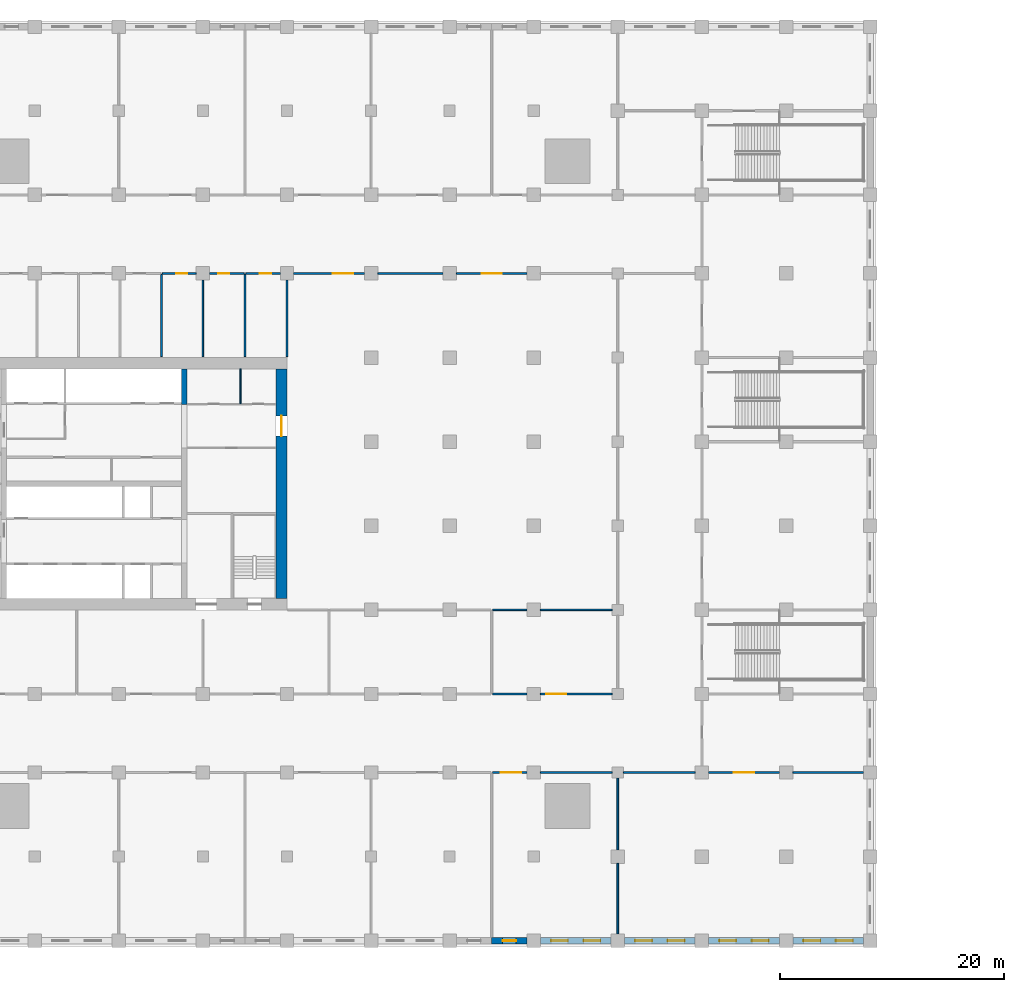
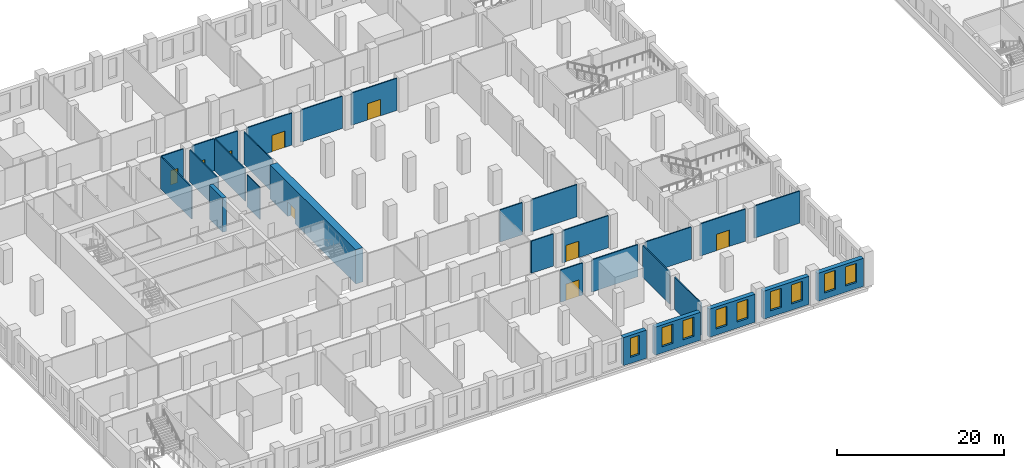
# One storey, part 7 of 32: 29 walls, 9 doors, 9 windows, 18 openings.
"""IFC4 building model written with IfcOpenShell, lengths in metres."""

import ifcopenshell
import ifcopenshell.guid

model = None  # the IFC model being written
_history = None  # IfcOwnerHistory: only IFC2X3 demands one
_inside = {}  # id of a spatial element -> (the spatial element, [elements in it])
_under = {}  # id of a project, library or spatial element -> (it, [spatial elements below it])
_declared = {}  # id of a project -> (the project, [libraries it declares])
_typed = {}  # id of a type object -> (the type object, [elements of that type])
_made_of = {}  # id of a material, layer set ... -> (it, [elements and type objects made of it])


def new_model(schema):
    """Start an empty IFC model of exactly this schema.

    Asked for "IFC4X3", IfcOpenShell would pick the latest addendum, in which some entities
    have other attributes; the version numbers below select the first issue.
    IFC2X3 requires an IfcOwnerHistory on every rooted entity: one is made here for all.
    """
    global model, _history
    if schema == "IFC4X3":
        model = ifcopenshell.file(schema_version=(4, 3, 0, 0))
    else:
        model = ifcopenshell.file(schema=schema)
    _inside.clear()
    _under.clear()
    _declared.clear()
    _typed.clear()
    _made_of.clear()
    _history = None
    if model.schema == "IFC2X3":
        org = make("IfcOrganization", Name="unknown")
        user = make(
            "IfcPersonAndOrganization",
            ThePerson=make("IfcPerson", FamilyName="unknown"),
            TheOrganization=org,
        )
        app = make(
            "IfcApplication",
            ApplicationDeveloper=org,
            Version="unknown",
            ApplicationFullName="unknown",
            ApplicationIdentifier="unknown",
        )
        _history = make(
            "IfcOwnerHistory",
            OwningUser=user,
            OwningApplication=app,
            ChangeAction="ADDED",
            CreationDate=0,
        )
    return model


def make(cls, **values):
    """One entity of the class cls with the attributes given. An attribute that is None is left unset."""
    return model.create_entity(
        cls, **{name: value for name, value in values.items() if value is not None}
    )


def rooted(cls, **values):
    """An entity with a GlobalId (a new one), such as an element, a storey or a relation."""
    return make(cls, GlobalId=ifcopenshell.guid.new(), OwnerHistory=_history, **values)


def si_unit(unit_type, name, prefix=None):
    """IfcSIUnit, for example si_unit("LENGTHUNIT", "METRE", prefix="MILLI")."""
    return make("IfcSIUnit", UnitType=unit_type, Prefix=prefix, Name=name)


def assignment(units):
    """IfcUnitAssignment: the units of a project."""
    return None if units is None else make("IfcUnitAssignment", Units=units)


def point(xyz):
    """IfcCartesianPoint."""
    return None if xyz is None else make("IfcCartesianPoint", Coordinates=xyz)


def direction(xyz):
    """IfcDirection."""
    return None if xyz is None else make("IfcDirection", DirectionRatios=xyz)


def frame(location, z_axis=None, x_axis=None):
    """IfcAxis2Placement3D, a coordinate frame: its origin and axes. An axis left out is left unset."""
    return make(
        "IfcAxis2Placement3D",
        Location=point(location),
        Axis=direction(z_axis),
        RefDirection=direction(x_axis),
    )


def frame_2d(location, x_axis=None):
    """IfcAxis2Placement2D, a coordinate frame in the plane: its origin and x axis."""
    return make(
        "IfcAxis2Placement2D", Location=point(location), RefDirection=direction(x_axis)
    )


def origin():
    """The frame at (0, 0, 0) with its axes left unset."""
    return frame((0.0, 0.0, 0.0))


def place(relative_to, where):
    """IfcLocalPlacement: puts the frame where relative to a parent placement (None: the world)."""
    return make(
        "IfcLocalPlacement", PlacementRelTo=relative_to, RelativePlacement=where
    )


def context(
    kind, dimensions, precision=None, world=None, true_north=None, identifier=None
):
    """IfcGeometricRepresentationContext, for example the 3D "Model" context."""
    return make(
        "IfcGeometricRepresentationContext",
        ContextIdentifier=identifier,
        ContextType=kind,
        CoordinateSpaceDimension=dimensions,
        Precision=precision,
        WorldCoordinateSystem=world,
        TrueNorth=true_north,
    )


def subcontext(parent, identifier, kind, view, scale=None):
    """IfcGeometricRepresentationSubContext, for example "Body" below "Model"."""
    return make(
        "IfcGeometricRepresentationSubContext",
        ContextIdentifier=identifier,
        ContextType=kind,
        ParentContext=parent,
        TargetScale=scale,
        TargetView=view,
    )


def project(units=None, contexts=None):
    """IfcProject with its units and contexts."""
    return rooted(
        "IfcProject",
        Name="project",
        RepresentationContexts=contexts,
        UnitsInContext=assignment(units),
    )


def spatial(cls, under=None, at=None, **own):
    """A site, building, storey or space (cls), placed at a placement, below another one or the project."""
    s = rooted(cls, ObjectPlacement=at, **own)
    if under is not None:
        _under.setdefault(under.id(), (under, []))[1].append(s)
    return s


def profile(cls, at=None, kind="AREA", **sizes):
    """A parametric profile (cls). Its sizes go by their IFC names, for example OverallWidth=200.0."""
    return make(cls, ProfileType=kind, Position=at, **sizes)


def rectangle(**sizes):
    """IfcRectangleProfileDef."""
    return profile("IfcRectangleProfileDef", **sizes)


def extrude(swept, where, along, depth):
    """IfcExtrudedAreaSolid: the profile swept, set in the frame where, extruded along a direction by depth."""
    return make(
        "IfcExtrudedAreaSolid",
        SweptArea=swept,
        Position=where,
        ExtrudedDirection=direction(along),
        Depth=depth,
    )


def shape(context_of_items, identifier, shape_type, items):
    """IfcShapeRepresentation: the items that make up one representation, for example the "Body"."""
    return make(
        "IfcShapeRepresentation",
        ContextOfItems=context_of_items,
        RepresentationIdentifier=identifier,
        RepresentationType=shape_type,
        Items=items,
    )


def material(Name=None, Category=None):
    """IfcMaterial."""
    return make("IfcMaterial", Name=Name, Category=Category)


def layer(
    of_material, thickness, ventilated=None, Name=None, Category=None, Priority=None
):
    """IfcMaterialLayer: one layer of a wall or slab, of a material (None: an air gap)."""
    return make(
        "IfcMaterialLayer",
        Material=of_material,
        LayerThickness=thickness,
        IsVentilated=ventilated,
        Name=Name,
        Category=Category,
        Priority=Priority,
    )


def layer_set(layers, Name=None):
    """IfcMaterialLayerSet."""
    return make("IfcMaterialLayerSet", MaterialLayers=layers, LayerSetName=Name)


def made_of(thing, what):
    """Note that an element or type object is made of a material, layer set ...; save() writes the relation."""
    if what is not None:
        _made_of.setdefault(what.id(), (what, []))[1].append(thing)
    return thing


def type_object(cls, material=None, **own):
    """A type object (cls), such as IfcWallType, which elements share."""
    return made_of(rooted(cls, **own), material)


def element(
    cls,
    number,
    at=None,
    inside=None,
    cuts=None,
    type_object=None,
    material=None,
    context=None,
    identifier="Body",
    shape_type=None,
    held_by="IfcProductDefinitionShape",
    body=None,
    shapes=None,
    **own,
):
    """One element of the class cls, such as IfcWall. Its Tag is "e" and its number.

    at: its placement. inside: the storey or other place that contains it. cuts: it is an
    opening in that element (IfcRelVoidsElement). A single representation is given by context,
    identifier, shape_type and body (its items); several are given by shapes. held_by: the class
    of the entity that holds the representations. save() writes the other relations.
    """
    e = rooted(cls, Tag="e%d" % number, ObjectPlacement=at, **own)
    if body is not None:
        shapes = [shape(context, identifier, shape_type, body)]
    if shapes is not None:
        e.Representation = make(held_by, Representations=shapes)
    if inside is not None:
        _inside.setdefault(inside.id(), (inside, []))[1].append(e)
    if cuts is not None:
        rooted(
            "IfcRelVoidsElement", RelatingBuildingElement=cuts, RelatedOpeningElement=e
        )
    if type_object is not None:
        _typed.setdefault(type_object.id(), (type_object, []))[1].append(e)
    return made_of(e, material)


def fill(opening, filler):
    """IfcRelFillsElement: the door or window that sits in an opening."""
    return rooted(
        "IfcRelFillsElement",
        RelatingOpeningElement=opening,
        RelatedBuildingElement=filler,
    )


def aggregate(whole, parts):
    """IfcRelAggregates: a whole, such as a stair, and the parts it consists of."""
    return rooted("IfcRelAggregates", RelatingObject=whole, RelatedObjects=parts)


def save(model, path):
    """Write the relations noted so far, then the file.

    IfcRelAggregates (storeys below a building ...), IfcRelContainedInSpatialStructure (elements
    in a storey), IfcRelDefinesByType, IfcRelAssociatesMaterial and IfcRelDeclares: one each for
    every whole, place, type object, material and project.
    """
    for whole, parts in _under.values():
        aggregate(whole, parts)
    for where, things in _inside.values():
        rooted(
            "IfcRelContainedInSpatialStructure",
            RelatedElements=things,
            RelatingStructure=where,
        )
    for kind, things in _typed.values():
        rooted("IfcRelDefinesByType", RelatedObjects=things, RelatingType=kind)
    for what, things in _made_of.values():
        rooted("IfcRelAssociatesMaterial", RelatedObjects=things, RelatingMaterial=what)
    for by, libraries in _declared.values():
        rooted("IfcRelDeclares", RelatingContext=by, RelatedDefinitions=libraries)
    model.write(path)


model = new_model("IFC4")

# Units and contexts
model_context = context("Model", 3, precision=1e-05, world=origin(), true_north=direction((0.0, 1.0)))
body_context = subcontext(model_context, "Body", "Model", "MODEL_VIEW")
ifc_project = project(units=[si_unit("LENGTHUNIT", "METRE"), si_unit("AREAUNIT", "SQUARE_METRE"), si_unit("VOLUMEUNIT", "CUBIC_METRE"), si_unit("PLANEANGLEUNIT", "RADIAN"), si_unit("MASSUNIT", "GRAM", prefix="KILO")], contexts=[model_context])

# Site, building, storey
site_placement = place(None, origin())
site = spatial("IfcSite", under=ifc_project, at=site_placement, CompositionType="ELEMENT")
building_placement = place(site_placement, origin())
building = spatial("IfcBuilding", under=site, at=building_placement, Name="Tamorin Gate", CompositionType="ELEMENT")
storey_placement = place(building_placement, frame((0.0, 0.0, 18.5)))
storey = spatial("IfcBuildingStorey", under=building, at=storey_placement, Name="L03", CompositionType="ELEMENT", Elevation=18.5)

# Wall, opening, door
ifc_material_1 = material(Name="Concrete masonry C20/25", Category="masonry")
ifc_layer_1 = layer(ifc_material_1, 0.14990234375)
ifc_layer_set_1 = layer_set([ifc_layer_1], Name="Partition 150")
wall_type_1 = type_object("IfcWallType", Name="Partition 150", PredefinedType="PARTITIONING", material=ifc_layer_set_1)
wall_1_placement = place(storey_placement, frame((78.324951171875, 45.5, 0.0), z_axis=(0.0, 0.0, 1.0), x_axis=(1.0, 0.0, 0.0)))
wall_1 = element("IfcWall", 1, at=wall_1_placement, inside=storey, type_object=wall_type_1, Name="Partition 150 L03", PredefinedType="PARTITIONING", context=body_context, shape_type="SweptSolid", body=[
    extrude(rectangle(XDim=3.074951171875, YDim=0.14990234375, at=frame_2d((1.53759765625, 0.0))), origin(), (0.0, 0.0, 1.0), 4.699951171875),
])
opening_1_placement = place(wall_1_placement, frame((0.75, 0.0, 0.0)))
opening_1 = element("IfcOpeningElement", 2, at=opening_1_placement, cuts=wall_1, Name="Opening DP3", PredefinedType="OPENING", context=body_context, shape_type="SweptSolid", body=[
    extrude(rectangle(XDim=1.800048828125, YDim=2.39990234375, at=frame_2d((0.89990234375, 1.199951171875))), frame((0.0, 0.0849609375, 0.0), z_axis=(0.0, -1.0, 0.0), x_axis=(1.0, 0.0, 0.0)), (0.0, 0.0, 1.0), 0.169921875),
])
ifc_material_2 = material(Name="Steel and glass", Category="steel")
door_type_1 = type_object("IfcDoorType", Name="Door pair 1800", OperationType="DOUBLE_DOOR_SINGLE_SWING", PredefinedType="DOOR", material=ifc_material_2)
door_1_placement = place(opening_1_placement, origin())
door_1 = element("IfcDoor", 3, at=door_1_placement, inside=storey, type_object=door_type_1, Name="Door pair 1800 L03", OperationType="SINGLE_SWING_LEFT", OverallHeight=2.39990234375, OverallWidth=1.800048828125, PredefinedType="DOOR", context=body_context, shape_type="SweptSolid", body=[
    extrude(rectangle(XDim=1.800048828125, YDim=2.39990234375, at=frame_2d((0.89990234375, 1.199951171875))), frame((0.0, 0.02490234375, 0.0), z_axis=(0.0, -1.0, 0.0), x_axis=(1.0, 0.0, 0.0)), (0.0, 0.0, 1.0), 0.050048828125),
])
fill(opening_1, door_1)

# Walls
for number, where, z_axis, x_axis, name in (
    (4, (82.60009765625, 45.5, 0.0), (0.0, 0.0, 1.0), (1.0, 0.0, 0.0), "Partition 150 L03"),
    (5, (90.0, 45.5, 0.0), (0.0, 0.0, 1.0), (1.0, 0.0, 0.0), "Partition 150 L03"),
):
    element("IfcWall", number, at=place(storey_placement, frame(where, z_axis=z_axis, x_axis=x_axis)), inside=storey, type_object=wall_type_1, Name=name, PredefinedType="PARTITIONING", context=body_context, shape_type="SweptSolid", body=[
        extrude(rectangle(XDim=6.39990234375, YDim=0.14990234375, at=frame_2d((3.199951171875, 0.0))), origin(), (0.0, 0.0, 1.0), 4.699951171875),
    ])

# Wall, opening, door
wall_2_placement = place(storey_placement, frame((97.60009765625, 45.5, 0.0), z_axis=(0.0, 0.0, 1.0), x_axis=(1.0, 0.0, 0.0)))
wall_2 = element("IfcWall", 6, at=wall_2_placement, inside=storey, type_object=wall_type_1, Name="Partition 150 L03", PredefinedType="PARTITIONING", context=body_context, shape_type="SweptSolid", body=[
    extrude(rectangle(XDim=6.2998046875, YDim=0.14990234375, at=frame_2d((3.14990234375, 0.0))), origin(), (0.0, 0.0, 1.0), 4.699951171875),
])
opening_2_placement = place(wall_2_placement, frame((2.25, 0.0, 0.0)))
opening_2 = element("IfcOpeningElement", 7, at=opening_2_placement, cuts=wall_2, Name="Opening DP3", PredefinedType="OPENING", context=body_context, shape_type="SweptSolid", body=[
    extrude(rectangle(XDim=1.800048828125, YDim=2.39990234375, at=frame_2d((0.89990234375, 1.199951171875))), frame((0.0, 0.0849609375, 0.0), z_axis=(0.0, -1.0, 0.0), x_axis=(1.0, 0.0, 0.0)), (0.0, 0.0, 1.0), 0.169921875),
])
door_2_placement = place(opening_2_placement, origin())
door_2 = element("IfcDoor", 8, at=door_2_placement, inside=storey, type_object=door_type_1, Name="Door pair 1800 L03", OperationType="SINGLE_SWING_LEFT", OverallHeight=2.39990234375, OverallWidth=1.800048828125, PredefinedType="DOOR", context=body_context, shape_type="SweptSolid", body=[
    extrude(rectangle(XDim=1.800048828125, YDim=2.39990234375, at=frame_2d((0.89990234375, 1.199951171875))), frame((0.0, 0.02490234375, 0.0), z_axis=(0.0, -1.0, 0.0), x_axis=(1.0, 0.0, 0.0)), (0.0, 0.0, 1.0), 0.050048828125),
])
fill(opening_2, door_2)

# Walls
wall_3_placement = place(storey_placement, frame((105.10009765625, 45.5, 0.0), z_axis=(0.0, 0.0, 1.0), x_axis=(1.0, 0.0, 0.0)))
element("IfcWall", 9, at=wall_3_placement, inside=storey, type_object=wall_type_1, Name="Partition 150 L03", PredefinedType="PARTITIONING", context=body_context, shape_type="SweptSolid", body=[
    extrude(rectangle(XDim=6.2998046875, YDim=0.14990234375, at=frame_2d((3.14990234375, 0.0))), origin(), (0.0, 0.0, 1.0), 4.699951171875),
])
wall_4_placement = place(storey_placement, frame((78.324951171875, 52.5, 0.0), z_axis=(0.0, 0.0, 1.0), x_axis=(1.0, 0.0, 0.0)))
element("IfcWall", 10, at=wall_4_placement, inside=storey, type_object=wall_type_1, Name="Partition 150 L03", PredefinedType="PARTITIONING", context=body_context, shape_type="SweptSolid", body=[
    extrude(rectangle(XDim=3.074951171875, YDim=0.14990234375, at=frame_2d((1.53759765625, 0.0))), origin(), (0.0, 0.0, 1.0), 4.699951171875),
])

# Wall, opening, door
wall_5_placement = place(storey_placement, frame((89.0, 52.5, 0.0), z_axis=(0.0, 0.0, 1.0), x_axis=(-1.0, 0.0, 0.0)))
wall_5 = element("IfcWall", 11, at=wall_5_placement, inside=storey, type_object=wall_type_1, Name="Partition 150 L03", PredefinedType="PARTITIONING", context=body_context, shape_type="SweptSolid", body=[
    extrude(rectangle(XDim=6.39990234375, YDim=0.14990234375, at=frame_2d((3.199951171875, 0.0))), origin(), (0.0, 0.0, 1.0), 4.699951171875),
])
opening_3_placement = place(wall_5_placement, frame((4.10009765625, 0.0, 0.0)))
opening_3 = element("IfcOpeningElement", 12, at=opening_3_placement, cuts=wall_5, Name="Opening DP3", PredefinedType="OPENING", context=body_context, shape_type="SweptSolid", body=[
    extrude(rectangle(XDim=1.800048828125, YDim=2.39990234375, at=frame_2d((0.89990234375, 1.199951171875))), frame((0.0, 0.0849609375, 0.0), z_axis=(0.0, -1.0, 0.0), x_axis=(1.0, 0.0, 0.0)), (0.0, 0.0, 1.0), 0.169921875),
])
door_3_placement = place(opening_3_placement, origin())
door_3 = element("IfcDoor", 13, at=door_3_placement, inside=storey, type_object=door_type_1, Name="Door pair 1800 L03", OperationType="SINGLE_SWING_LEFT", OverallHeight=2.39990234375, OverallWidth=1.800048828125, PredefinedType="DOOR", context=body_context, shape_type="SweptSolid", body=[
    extrude(rectangle(XDim=1.800048828125, YDim=2.39990234375, at=frame_2d((0.89990234375, 1.199951171875))), frame((0.0, 0.02490234375, 0.0), z_axis=(0.0, -1.0, 0.0), x_axis=(1.0, 0.0, 0.0)), (0.0, 0.0, 1.0), 0.050048828125),
])
fill(opening_3, door_3)

# Walls
wall_6_placement = place(storey_placement, frame((78.324951171875, 60.0, 0.0), z_axis=(0.0, 0.0, 1.0), x_axis=(1.0, 0.0, 0.0)))
element("IfcWall", 14, at=wall_6_placement, inside=storey, type_object=wall_type_1, Name="Partition 150 L03", PredefinedType="PARTITIONING", context=body_context, shape_type="SweptSolid", body=[
    extrude(rectangle(XDim=3.074951171875, YDim=0.14990234375, at=frame_2d((1.53759765625, 0.0))), origin(), (0.0, 0.0, 1.0), 4.699951171875),
])
wall_7_placement = place(storey_placement, frame((82.60009765625, 60.0, 0.0), z_axis=(0.0, 0.0, 1.0), x_axis=(1.0, 0.0, 0.0)))
element("IfcWall", 15, at=wall_7_placement, inside=storey, type_object=wall_type_1, Name="Partition 150 L03", PredefinedType="PARTITIONING", context=body_context, shape_type="SweptSolid", body=[
    extrude(rectangle(XDim=6.39990234375, YDim=0.14990234375, at=frame_2d((3.199951171875, 0.0))), origin(), (0.0, 0.0, 1.0), 4.699951171875),
])

# Wall, opening, door
wall_8_placement = place(storey_placement, frame((48.875, 90.0, 0.0), z_axis=(0.0, 0.0, 1.0), x_axis=(1.0, 0.0, 0.0)))
wall_8 = element("IfcWall", 16, at=wall_8_placement, inside=storey, type_object=wall_type_1, Name="Partition 150 L03", PredefinedType="PARTITIONING", context=body_context, shape_type="SweptSolid", body=[
    extrude(rectangle(XDim=3.02490234375, YDim=0.14990234375, at=frame_2d((1.512451171875, 0.0))), origin(), (0.0, 0.0, 1.0), 4.699951171875),
])
opening_4_placement = place(wall_8_placement, frame((1.25, 0.0, 0.0)))
opening_4 = element("IfcOpeningElement", 17, at=opening_4_placement, cuts=wall_8, Name="Opening DP2", PredefinedType="OPENING", context=body_context, shape_type="SweptSolid", body=[
    extrude(rectangle(XDim=1.0, YDim=2.10009765625, at=frame_2d((0.5, 1.050048828125))), frame((0.0, 0.0849609375, 0.0), z_axis=(0.0, -1.0, 0.0), x_axis=(1.0, 0.0, 0.0)), (0.0, 0.0, 1.0), 0.169921875),
])
ifc_material_3 = material(Name="Painted steel", Category="steel")
door_type_2 = type_object("IfcDoorType", Name="Door single 1000", OperationType="SINGLE_SWING_LEFT", PredefinedType="DOOR", material=ifc_material_3)
door_4_placement = place(opening_4_placement, origin())
door_4 = element("IfcDoor", 18, at=door_4_placement, inside=storey, type_object=door_type_2, Name="Door single 1000 L03", OperationType="SINGLE_SWING_LEFT", OverallHeight=2.10009765625, OverallWidth=1.0, PredefinedType="DOOR", context=body_context, shape_type="SweptSolid", body=[
    extrude(rectangle(XDim=1.0, YDim=2.10009765625, at=frame_2d((0.5, 1.050048828125))), frame((0.0, 0.02490234375, 0.0), z_axis=(0.0, -1.0, 0.0), x_axis=(1.0, 0.0, 0.0)), (0.0, 0.0, 1.0), 0.050048828125),
])
fill(opening_4, door_4)

wall_9_placement = place(storey_placement, frame((53.10009765625, 90.0, 0.0), z_axis=(0.0, 0.0, 1.0), x_axis=(1.0, 0.0, 0.0)))
wall_9 = element("IfcWall", 19, at=wall_9_placement, inside=storey, type_object=wall_type_1, Name="Partition 150 L03", PredefinedType="PARTITIONING", context=body_context, shape_type="SweptSolid", body=[
    extrude(rectangle(XDim=3.074951171875, YDim=0.14990234375, at=frame_2d((1.53759765625, 0.0))), origin(), (0.0, 0.0, 1.0), 4.699951171875),
])
opening_5_placement = place(wall_9_placement, frame((0.75, 0.0, 0.0)))
opening_5 = element("IfcOpeningElement", 20, at=opening_5_placement, cuts=wall_9, Name="Opening DP2", PredefinedType="OPENING", context=body_context, shape_type="SweptSolid", body=[
    extrude(rectangle(XDim=1.0, YDim=2.10009765625, at=frame_2d((0.5, 1.050048828125))), frame((0.0, 0.0849609375, 0.0), z_axis=(0.0, -1.0, 0.0), x_axis=(1.0, 0.0, 0.0)), (0.0, 0.0, 1.0), 0.169921875),
])
door_5_placement = place(opening_5_placement, origin())
door_5 = element("IfcDoor", 21, at=door_5_placement, inside=storey, type_object=door_type_2, Name="Door single 1000 L03", OperationType="SINGLE_SWING_LEFT", OverallHeight=2.10009765625, OverallWidth=1.0, PredefinedType="DOOR", context=body_context, shape_type="SweptSolid", body=[
    extrude(rectangle(XDim=1.0, YDim=2.10009765625, at=frame_2d((0.5, 1.050048828125))), frame((0.0, 0.02490234375, 0.0), z_axis=(0.0, -1.0, 0.0), x_axis=(1.0, 0.0, 0.0)), (0.0, 0.0, 1.0), 0.050048828125),
])
fill(opening_5, door_5)

wall_10_placement = place(storey_placement, frame((56.324951171875, 90.0, 0.0), z_axis=(0.0, 0.0, 1.0), x_axis=(1.0, 0.0, 0.0)))
wall_10 = element("IfcWall", 22, at=wall_10_placement, inside=storey, type_object=wall_type_1, Name="Partition 150 L03", PredefinedType="PARTITIONING", context=body_context, shape_type="SweptSolid", body=[
    extrude(rectangle(XDim=3.074951171875, YDim=0.14990234375, at=frame_2d((1.53759765625, 0.0))), origin(), (0.0, 0.0, 1.0), 4.699951171875),
])
opening_6_placement = place(wall_10_placement, frame((1.25, 0.0, 0.0)))
opening_6 = element("IfcOpeningElement", 23, at=opening_6_placement, cuts=wall_10, Name="Opening DP2", PredefinedType="OPENING", context=body_context, shape_type="SweptSolid", body=[
    extrude(rectangle(XDim=1.0, YDim=2.10009765625, at=frame_2d((0.5, 1.050048828125))), frame((0.0, 0.0849609375, 0.0), z_axis=(0.0, -1.0, 0.0), x_axis=(1.0, 0.0, 0.0)), (0.0, 0.0, 1.0), 0.169921875),
])
door_6_placement = place(opening_6_placement, origin())
door_6 = element("IfcDoor", 24, at=door_6_placement, inside=storey, type_object=door_type_2, Name="Door single 1000 L03", OperationType="SINGLE_SWING_LEFT", OverallHeight=2.10009765625, OverallWidth=1.0, PredefinedType="DOOR", context=body_context, shape_type="SweptSolid", body=[
    extrude(rectangle(XDim=1.0, YDim=2.10009765625, at=frame_2d((0.5, 1.050048828125))), frame((0.0, 0.02490234375, 0.0), z_axis=(0.0, -1.0, 0.0), x_axis=(1.0, 0.0, 0.0)), (0.0, 0.0, 1.0), 0.050048828125),
])
fill(opening_6, door_6)

wall_11_placement = place(storey_placement, frame((60.60009765625, 90.0, 0.0), z_axis=(0.0, 0.0, 1.0), x_axis=(1.0, 0.0, 0.0)))
wall_11 = element("IfcWall", 25, at=wall_11_placement, inside=storey, type_object=wall_type_1, Name="Partition 150 L03", PredefinedType="PARTITIONING", context=body_context, shape_type="SweptSolid", body=[
    extrude(rectangle(XDim=6.2998046875, YDim=0.14990234375, at=frame_2d((3.14990234375, 0.0))), origin(), (0.0, 0.0, 1.0), 4.699951171875),
])
opening_7_placement = place(wall_11_placement, frame((3.5, 0.0, 0.0)))
opening_7 = element("IfcOpeningElement", 26, at=opening_7_placement, cuts=wall_11, Name="Opening DP3", PredefinedType="OPENING", context=body_context, shape_type="SweptSolid", body=[
    extrude(rectangle(XDim=1.800048828125, YDim=2.39990234375, at=frame_2d((0.89990234375, 1.199951171875))), frame((0.0, 0.0849609375, 0.0), z_axis=(0.0, -1.0, 0.0), x_axis=(1.0, 0.0, 0.0)), (0.0, 0.0, 1.0), 0.169921875),
])
door_7_placement = place(opening_7_placement, origin())
door_7 = element("IfcDoor", 27, at=door_7_placement, inside=storey, type_object=door_type_1, Name="Door pair 1800 L03", OperationType="SINGLE_SWING_LEFT", OverallHeight=2.39990234375, OverallWidth=1.800048828125, PredefinedType="DOOR", context=body_context, shape_type="SweptSolid", body=[
    extrude(rectangle(XDim=1.800048828125, YDim=2.39990234375, at=frame_2d((0.89990234375, 1.199951171875))), frame((0.0, 0.02490234375, 0.0), z_axis=(0.0, -1.0, 0.0), x_axis=(1.0, 0.0, 0.0)), (0.0, 0.0, 1.0), 0.050048828125),
])
fill(opening_7, door_7)

# Wall
wall_12_placement = place(storey_placement, frame((68.10009765625, 90.0, 0.0), z_axis=(0.0, 0.0, 1.0), x_axis=(1.0, 0.0, 0.0)))
element("IfcWall", 28, at=wall_12_placement, inside=storey, type_object=wall_type_1, Name="Partition 150 L03", PredefinedType="PARTITIONING", context=body_context, shape_type="SweptSolid", body=[
    extrude(rectangle(XDim=5.7998046875, YDim=0.14990234375, at=frame_2d((2.89990234375, 0.0))), origin(), (0.0, 0.0, 1.0), 4.699951171875),
])

# Wall, opening, door
wall_13_placement = place(storey_placement, frame((75.10009765625, 90.0, 0.0), z_axis=(0.0, 0.0, 1.0), x_axis=(1.0, 0.0, 0.0)))
wall_13 = element("IfcWall", 29, at=wall_13_placement, inside=storey, type_object=wall_type_1, Name="Partition 150 L03", PredefinedType="PARTITIONING", context=body_context, shape_type="SweptSolid", body=[
    extrude(rectangle(XDim=6.2998046875, YDim=0.14990234375, at=frame_2d((3.14990234375, 0.0))), origin(), (0.0, 0.0, 1.0), 4.699951171875),
])
opening_8_placement = place(wall_13_placement, frame((2.25, 0.0, 0.0)))
opening_8 = element("IfcOpeningElement", 30, at=opening_8_placement, cuts=wall_13, Name="Opening DP3", PredefinedType="OPENING", context=body_context, shape_type="SweptSolid", body=[
    extrude(rectangle(XDim=1.800048828125, YDim=2.39990234375, at=frame_2d((0.89990234375, 1.199951171875))), frame((0.0, 0.0849609375, 0.0), z_axis=(0.0, -1.0, 0.0), x_axis=(1.0, 0.0, 0.0)), (0.0, 0.0, 1.0), 0.169921875),
])
door_8_placement = place(opening_8_placement, origin())
door_8 = element("IfcDoor", 31, at=door_8_placement, inside=storey, type_object=door_type_1, Name="Door pair 1800 L03", OperationType="SINGLE_SWING_LEFT", OverallHeight=2.39990234375, OverallWidth=1.800048828125, PredefinedType="DOOR", context=body_context, shape_type="SweptSolid", body=[
    extrude(rectangle(XDim=1.800048828125, YDim=2.39990234375, at=frame_2d((0.89990234375, 1.199951171875))), frame((0.0, 0.02490234375, 0.0), z_axis=(0.0, -1.0, 0.0), x_axis=(1.0, 0.0, 0.0)), (0.0, 0.0, 1.0), 0.050048828125),
])
fill(opening_8, door_8)

# Walls
wall_14_placement = place(storey_placement, frame((56.25, 82.574951171875, 0.0), z_axis=(0.0, 0.0, 1.0), x_axis=(0.0, 1.0, 0.0)))
element("IfcWall", 32, at=wall_14_placement, inside=storey, type_object=wall_type_1, Name="Partition 150 L03", PredefinedType="PARTITIONING", context=body_context, shape_type="SweptSolid", body=[
    extrude(rectangle(XDim=7.35009765625, YDim=0.14990234375, at=frame_2d((3.675048828125, 0.0))), origin(), (0.0, 0.0, 1.0), 4.699951171875),
])
wall_15_placement = place(storey_placement, frame((89.5, 31.10009765625, 0.0), z_axis=(0.0, 0.0, 1.0), x_axis=(0.0, 1.0, 0.0)))
element("IfcWall", 33, at=wall_15_placement, inside=storey, type_object=wall_type_1, Name="Partition 150 L03", PredefinedType="PARTITIONING", context=body_context, shape_type="SweptSolid", body=[
    extrude(rectangle(XDim=6.2998046875, YDim=0.14990234375, at=frame_2d((3.14990234375, 0.0))), origin(), (0.0, 0.0, 1.0), 4.699951171875),
])
wall_16_placement = place(storey_placement, frame((89.5, 38.60009765625, 0.0), z_axis=(0.0, 0.0, 1.0), x_axis=(0.0, 1.0, 0.0)))
element("IfcWall", 34, at=wall_16_placement, inside=storey, type_object=wall_type_1, Name="Partition 150 L03", PredefinedType="PARTITIONING", context=body_context, shape_type="SweptSolid", body=[
    extrude(rectangle(XDim=6.39990234375, YDim=0.14990234375, at=frame_2d((3.199951171875, 0.0))), origin(), (0.0, 0.0, 1.0), 4.699951171875),
])
wall_17_placement = place(storey_placement, frame((52.5, 82.574951171875, 0.0), z_axis=(0.0, 0.0, 1.0), x_axis=(0.0, 1.0, 0.0)))
element("IfcWall", 35, at=wall_17_placement, inside=storey, type_object=wall_type_1, Name="Partition 150 L03", PredefinedType="PARTITIONING", context=body_context, shape_type="SweptSolid", body=[
    extrude(rectangle(XDim=6.824951171875, YDim=0.14990234375, at=frame_2d((3.41259765625, 0.0))), origin(), (0.0, 0.0, 1.0), 4.699951171875),
])
wall_18_placement = place(storey_placement, frame((48.800048828125, 82.574951171875, 0.0), z_axis=(0.0, 0.0, 1.0), x_axis=(0.0, 1.0, 0.0)))
element("IfcWall", 36, at=wall_18_placement, inside=storey, type_object=wall_type_1, Name="Partition 150 L03", PredefinedType="PARTITIONING", context=body_context, shape_type="SweptSolid", body=[
    extrude(rectangle(XDim=7.35009765625, YDim=0.14990234375, at=frame_2d((3.675048828125, 0.0))), origin(), (0.0, 0.0, 1.0), 4.699951171875),
])
wall_19_placement = place(storey_placement, frame((60.0, 82.574951171875, 0.0), z_axis=(0.0, 0.0, 1.0), x_axis=(0.0, 1.0, 0.0)))
element("IfcWall", 37, at=wall_19_placement, inside=storey, type_object=wall_type_1, Name="Partition 150 L03", PredefinedType="PARTITIONING", context=body_context, shape_type="SweptSolid", body=[
    extrude(rectangle(XDim=6.824951171875, YDim=0.14990234375, at=frame_2d((3.41259765625, 0.0))), origin(), (0.0, 0.0, 1.0), 4.699951171875),
])

# Wall, opening, window
ifc_material_4 = material(Name="Precast concrete C40/50", Category="concrete")
ifc_layer_2 = layer(ifc_material_4, 0.60009765625)
ifc_layer_set_2 = layer_set([ifc_layer_2], Name="Precast concrete C40/50")
wall_type_2 = type_object("IfcWallType", Name="Precast plinth wall 600", PredefinedType="PARTITIONING", material=ifc_layer_set_2)
wall_20_placement = place(storey_placement, frame((78.25, 30.5, 0.0), z_axis=(0.0, 0.0, 1.0), x_axis=(1.0, 0.0, 0.0)))
wall_20 = element("IfcWall", 38, at=wall_20_placement, inside=storey, type_object=wall_type_2, Name="Precast plinth wall 600 L03", PredefinedType="PARTITIONING", context=body_context, shape_type="SweptSolid", body=[
    extrude(rectangle(XDim=3.14990234375, YDim=0.60009765625, at=frame_2d((1.574951171875, 0.0))), origin(), (0.0, 0.0, 1.0), 4.10009765625),
])
opening_9_placement = place(wall_20_placement, frame((0.97509765625, 0.0, 0.89990234375)))
opening_9 = element("IfcOpeningElement", 39, at=opening_9_placement, cuts=wall_20, Name="Opening PWN4", PredefinedType="OPENING", context=body_context, shape_type="SweptSolid", body=[
    extrude(rectangle(XDim=1.199951171875, YDim=2.800048828125, at=frame_2d((0.60009765625, 1.39990234375))), frame((0.0, 0.31005859375, 0.0), z_axis=(0.0, -1.0, 0.0), x_axis=(1.0, 0.0, 0.0)), (0.0, 0.0, 1.0), 0.6201171875),
])
ifc_material_5 = material(Name="Aluminium and glass", Category="aluminium")
window_type_1 = type_object("IfcWindowType", Name="Plinth window 1200x2800", PartitioningType="DOUBLE_PANEL_VERTICAL", PredefinedType="WINDOW", material=ifc_material_5)
window_1_placement = place(opening_9_placement, origin())
window_1 = element("IfcWindow", 40, at=window_1_placement, inside=storey, type_object=window_type_1, Name="Plinth window 1200x2800", OverallHeight=2.800048828125, OverallWidth=1.199951171875, PartitioningType="SINGLE_PANEL", PredefinedType="WINDOW", context=body_context, shape_type="SweptSolid", body=[
    extrude(rectangle(XDim=1.199951171875, YDim=2.800048828125, at=frame_2d((0.60009765625, 1.39990234375))), frame((0.0, 0.030029296875, 0.0), z_axis=(0.0, -1.0, 0.0), x_axis=(1.0, 0.0, 0.0)), (0.0, 0.0, 1.0), 0.06005859375),
])
fill(opening_9, window_1)

# Wall, openings, windows
wall_21_placement = place(storey_placement, frame((82.60009765625, 30.5, 0.0), z_axis=(0.0, 0.0, 1.0), x_axis=(1.0, 0.0, 0.0)))
wall_21 = element("IfcWall", 41, at=wall_21_placement, inside=storey, type_object=wall_type_2, Name="Precast plinth wall 600 L03", PredefinedType="PARTITIONING", context=body_context, shape_type="SweptSolid", body=[
    extrude(rectangle(XDim=6.2998046875, YDim=0.60009765625, at=frame_2d((3.14990234375, 0.0))), origin(), (0.0, 0.0, 1.0), 4.10009765625),
])
opening_10_placement = place(wall_21_placement, frame((0.950927734375, 0.0, 0.89990234375)))
opening_10 = element("IfcOpeningElement", 42, at=opening_10_placement, cuts=wall_21, Name="Opening PWN5", PredefinedType="OPENING", context=body_context, shape_type="SweptSolid", body=[
    extrude(rectangle(XDim=1.5, YDim=2.800048828125, at=frame_2d((0.75, 1.39990234375))), frame((0.0, 0.31005859375, 0.0), z_axis=(0.0, -1.0, 0.0), x_axis=(1.0, 0.0, 0.0)), (0.0, 0.0, 1.0), 0.6201171875),
])
opening_11_placement = place(wall_21_placement, frame((3.84912109375, 0.0, 0.89990234375)))
opening_11 = element("IfcOpeningElement", 43, at=opening_11_placement, cuts=wall_21, Name="Opening PWN5", PredefinedType="OPENING", context=body_context, shape_type="SweptSolid", body=[
    extrude(rectangle(XDim=1.5, YDim=2.800048828125, at=frame_2d((0.75, 1.39990234375))), frame((0.0, 0.31005859375, 0.0), z_axis=(0.0, -1.0, 0.0), x_axis=(1.0, 0.0, 0.0)), (0.0, 0.0, 1.0), 0.6201171875),
])
window_type_2 = type_object("IfcWindowType", Name="Plinth window 1500x2800", PartitioningType="DOUBLE_PANEL_VERTICAL", PredefinedType="WINDOW", material=ifc_material_5)
window_2_placement = place(opening_10_placement, origin())
window_2 = element("IfcWindow", 44, at=window_2_placement, inside=storey, type_object=window_type_2, Name="Plinth window 1500x2800", OverallHeight=2.800048828125, OverallWidth=1.5, PartitioningType="SINGLE_PANEL", PredefinedType="WINDOW", context=body_context, shape_type="SweptSolid", body=[
    extrude(rectangle(XDim=1.5, YDim=2.800048828125, at=frame_2d((0.75, 1.39990234375))), frame((0.0, 0.030029296875, 0.0), z_axis=(0.0, -1.0, 0.0), x_axis=(1.0, 0.0, 0.0)), (0.0, 0.0, 1.0), 0.06005859375),
])
fill(opening_10, window_2)
window_3_placement = place(opening_11_placement, origin())
window_3 = element("IfcWindow", 45, at=window_3_placement, inside=storey, type_object=window_type_2, Name="Plinth window 1500x2800", OverallHeight=2.800048828125, OverallWidth=1.5, PartitioningType="SINGLE_PANEL", PredefinedType="WINDOW", context=body_context, shape_type="SweptSolid", body=[
    extrude(rectangle(XDim=1.5, YDim=2.800048828125, at=frame_2d((0.75, 1.39990234375))), frame((0.0, 0.030029296875, 0.0), z_axis=(0.0, -1.0, 0.0), x_axis=(1.0, 0.0, 0.0)), (0.0, 0.0, 1.0), 0.06005859375),
])
fill(opening_11, window_3)

wall_22_placement = place(storey_placement, frame((90.10009765625, 30.5, 0.0), z_axis=(0.0, 0.0, 1.0), x_axis=(1.0, 0.0, 0.0)))
wall_22 = element("IfcWall", 46, at=wall_22_placement, inside=storey, type_object=wall_type_2, Name="Precast plinth wall 600 L03", PredefinedType="PARTITIONING", context=body_context, shape_type="SweptSolid", body=[
    extrude(rectangle(XDim=6.2998046875, YDim=0.60009765625, at=frame_2d((3.14990234375, 0.0))), origin(), (0.0, 0.0, 1.0), 4.10009765625),
])
opening_12_placement = place(wall_22_placement, frame((0.950927734375, 0.0, 0.89990234375)))
opening_12 = element("IfcOpeningElement", 47, at=opening_12_placement, cuts=wall_22, Name="Opening PWN5", PredefinedType="OPENING", context=body_context, shape_type="SweptSolid", body=[
    extrude(rectangle(XDim=1.5, YDim=2.800048828125, at=frame_2d((0.75, 1.39990234375))), frame((0.0, 0.31005859375, 0.0), z_axis=(0.0, -1.0, 0.0), x_axis=(1.0, 0.0, 0.0)), (0.0, 0.0, 1.0), 0.6201171875),
])
opening_13_placement = place(wall_22_placement, frame((3.84912109375, 0.0, 0.89990234375)))
opening_13 = element("IfcOpeningElement", 48, at=opening_13_placement, cuts=wall_22, Name="Opening PWN5", PredefinedType="OPENING", context=body_context, shape_type="SweptSolid", body=[
    extrude(rectangle(XDim=1.5, YDim=2.800048828125, at=frame_2d((0.75, 1.39990234375))), frame((0.0, 0.31005859375, 0.0), z_axis=(0.0, -1.0, 0.0), x_axis=(1.0, 0.0, 0.0)), (0.0, 0.0, 1.0), 0.6201171875),
])
window_4_placement = place(opening_12_placement, origin())
window_4 = element("IfcWindow", 49, at=window_4_placement, inside=storey, type_object=window_type_2, Name="Plinth window 1500x2800", OverallHeight=2.800048828125, OverallWidth=1.5, PartitioningType="SINGLE_PANEL", PredefinedType="WINDOW", context=body_context, shape_type="SweptSolid", body=[
    extrude(rectangle(XDim=1.5, YDim=2.800048828125, at=frame_2d((0.75, 1.39990234375))), frame((0.0, 0.030029296875, 0.0), z_axis=(0.0, -1.0, 0.0), x_axis=(1.0, 0.0, 0.0)), (0.0, 0.0, 1.0), 0.06005859375),
])
fill(opening_12, window_4)
window_5_placement = place(opening_13_placement, origin())
window_5 = element("IfcWindow", 50, at=window_5_placement, inside=storey, type_object=window_type_2, Name="Plinth window 1500x2800", OverallHeight=2.800048828125, OverallWidth=1.5, PartitioningType="SINGLE_PANEL", PredefinedType="WINDOW", context=body_context, shape_type="SweptSolid", body=[
    extrude(rectangle(XDim=1.5, YDim=2.800048828125, at=frame_2d((0.75, 1.39990234375))), frame((0.0, 0.030029296875, 0.0), z_axis=(0.0, -1.0, 0.0), x_axis=(1.0, 0.0, 0.0)), (0.0, 0.0, 1.0), 0.06005859375),
])
fill(opening_13, window_5)

wall_23_placement = place(storey_placement, frame((97.60009765625, 30.5, 0.0), z_axis=(0.0, 0.0, 1.0), x_axis=(1.0, 0.0, 0.0)))
wall_23 = element("IfcWall", 51, at=wall_23_placement, inside=storey, type_object=wall_type_2, Name="Precast plinth wall 600 L03", PredefinedType="PARTITIONING", context=body_context, shape_type="SweptSolid", body=[
    extrude(rectangle(XDim=6.2998046875, YDim=0.60009765625, at=frame_2d((3.14990234375, 0.0))), origin(), (0.0, 0.0, 1.0), 4.10009765625),
])
opening_14_placement = place(wall_23_placement, frame((0.950927734375, 0.0, 0.89990234375)))
opening_14 = element("IfcOpeningElement", 52, at=opening_14_placement, cuts=wall_23, Name="Opening PWN5", PredefinedType="OPENING", context=body_context, shape_type="SweptSolid", body=[
    extrude(rectangle(XDim=1.5, YDim=2.800048828125, at=frame_2d((0.75, 1.39990234375))), frame((0.0, 0.31005859375, 0.0), z_axis=(0.0, -1.0, 0.0), x_axis=(1.0, 0.0, 0.0)), (0.0, 0.0, 1.0), 0.6201171875),
])
opening_15_placement = place(wall_23_placement, frame((3.84912109375, 0.0, 0.89990234375)))
opening_15 = element("IfcOpeningElement", 53, at=opening_15_placement, cuts=wall_23, Name="Opening PWN5", PredefinedType="OPENING", context=body_context, shape_type="SweptSolid", body=[
    extrude(rectangle(XDim=1.5, YDim=2.800048828125, at=frame_2d((0.75, 1.39990234375))), frame((0.0, 0.31005859375, 0.0), z_axis=(0.0, -1.0, 0.0), x_axis=(1.0, 0.0, 0.0)), (0.0, 0.0, 1.0), 0.6201171875),
])
window_6_placement = place(opening_14_placement, origin())
window_6 = element("IfcWindow", 54, at=window_6_placement, inside=storey, type_object=window_type_2, Name="Plinth window 1500x2800", OverallHeight=2.800048828125, OverallWidth=1.5, PartitioningType="SINGLE_PANEL", PredefinedType="WINDOW", context=body_context, shape_type="SweptSolid", body=[
    extrude(rectangle(XDim=1.5, YDim=2.800048828125, at=frame_2d((0.75, 1.39990234375))), frame((0.0, 0.030029296875, 0.0), z_axis=(0.0, -1.0, 0.0), x_axis=(1.0, 0.0, 0.0)), (0.0, 0.0, 1.0), 0.06005859375),
])
fill(opening_14, window_6)
window_7_placement = place(opening_15_placement, origin())
window_7 = element("IfcWindow", 55, at=window_7_placement, inside=storey, type_object=window_type_2, Name="Plinth window 1500x2800", OverallHeight=2.800048828125, OverallWidth=1.5, PartitioningType="SINGLE_PANEL", PredefinedType="WINDOW", context=body_context, shape_type="SweptSolid", body=[
    extrude(rectangle(XDim=1.5, YDim=2.800048828125, at=frame_2d((0.75, 1.39990234375))), frame((0.0, 0.030029296875, 0.0), z_axis=(0.0, -1.0, 0.0), x_axis=(1.0, 0.0, 0.0)), (0.0, 0.0, 1.0), 0.06005859375),
])
fill(opening_15, window_7)

wall_24_placement = place(storey_placement, frame((105.10009765625, 30.5, 0.0), z_axis=(0.0, 0.0, 1.0), x_axis=(1.0, 0.0, 0.0)))
wall_24 = element("IfcWall", 56, at=wall_24_placement, inside=storey, type_object=wall_type_2, Name="Precast plinth wall 600 L03", PredefinedType="PARTITIONING", context=body_context, shape_type="SweptSolid", body=[
    extrude(rectangle(XDim=6.2998046875, YDim=0.60009765625, at=frame_2d((3.14990234375, 0.0))), origin(), (0.0, 0.0, 1.0), 4.10009765625),
])
opening_16_placement = place(wall_24_placement, frame((0.950927734375, 0.0, 0.89990234375)))
opening_16 = element("IfcOpeningElement", 57, at=opening_16_placement, cuts=wall_24, Name="Opening PWN5", PredefinedType="OPENING", context=body_context, shape_type="SweptSolid", body=[
    extrude(rectangle(XDim=1.5, YDim=2.800048828125, at=frame_2d((0.75, 1.39990234375))), frame((0.0, 0.31005859375, 0.0), z_axis=(0.0, -1.0, 0.0), x_axis=(1.0, 0.0, 0.0)), (0.0, 0.0, 1.0), 0.6201171875),
])
opening_17_placement = place(wall_24_placement, frame((3.84912109375, 0.0, 0.89990234375)))
opening_17 = element("IfcOpeningElement", 58, at=opening_17_placement, cuts=wall_24, Name="Opening PWN5", PredefinedType="OPENING", context=body_context, shape_type="SweptSolid", body=[
    extrude(rectangle(XDim=1.5, YDim=2.800048828125, at=frame_2d((0.75, 1.39990234375))), frame((0.0, 0.31005859375, 0.0), z_axis=(0.0, -1.0, 0.0), x_axis=(1.0, 0.0, 0.0)), (0.0, 0.0, 1.0), 0.6201171875),
])
window_8_placement = place(opening_16_placement, origin())
window_8 = element("IfcWindow", 59, at=window_8_placement, inside=storey, type_object=window_type_2, Name="Plinth window 1500x2800", OverallHeight=2.800048828125, OverallWidth=1.5, PartitioningType="SINGLE_PANEL", PredefinedType="WINDOW", context=body_context, shape_type="SweptSolid", body=[
    extrude(rectangle(XDim=1.5, YDim=2.800048828125, at=frame_2d((0.75, 1.39990234375))), frame((0.0, 0.030029296875, 0.0), z_axis=(0.0, -1.0, 0.0), x_axis=(1.0, 0.0, 0.0)), (0.0, 0.0, 1.0), 0.06005859375),
])
fill(opening_16, window_8)
window_9_placement = place(opening_17_placement, origin())
window_9 = element("IfcWindow", 60, at=window_9_placement, inside=storey, type_object=window_type_2, Name="Plinth window 1500x2800", OverallHeight=2.800048828125, OverallWidth=1.5, PartitioningType="SINGLE_PANEL", PredefinedType="WINDOW", context=body_context, shape_type="SweptSolid", body=[
    extrude(rectangle(XDim=1.5, YDim=2.800048828125, at=frame_2d((0.75, 1.39990234375))), frame((0.0, 0.030029296875, 0.0), z_axis=(0.0, -1.0, 0.0), x_axis=(1.0, 0.0, 0.0)), (0.0, 0.0, 1.0), 0.06005859375),
])
fill(opening_17, window_9)

# Wall
ifc_material_6 = material(Name="Concrete C80/95", Category="concrete")
ifc_layer_3 = layer(ifc_material_6, 0.5)
ifc_layer_set_3 = layer_set([ifc_layer_3], Name="RC core internal wall 500 C80/95")
wall_type_3 = type_object("IfcWallType", Name="RC core internal wall 500 C80/95", PredefinedType="SHEAR", material=ifc_layer_set_3)
wall_25_placement = place(storey_placement, frame((50.85009765625, 78.300048828125, 0.0), z_axis=(0.0, 0.0, 1.0), x_axis=(0.0, 1.0, 0.0)))
element("IfcWall", 61, at=wall_25_placement, inside=storey, type_object=wall_type_3, Name="Core cross wall L03", PredefinedType="SHEAR", context=body_context, shape_type="SweptSolid", body=[
    extrude(rectangle(XDim=3.199951171875, YDim=0.5, at=frame_2d((1.60009765625, 0.0))), origin(), (0.0, 0.0, 1.0), 5.0),
])

# Wall, opening, door
ifc_layer_4 = layer(ifc_material_6, 1.0)
ifc_layer_set_4 = layer_set([ifc_layer_4], Name="RC core wall 1000 C80/95")
wall_type_4 = type_object("IfcWallType", Name="RC core wall 1000 C80/95", PredefinedType="SHEAR", material=ifc_layer_set_4)
wall_26_placement = place(storey_placement, frame((59.5, 61.0, 0.0), z_axis=(0.0, 0.0, 1.0), x_axis=(0.0, 1.0, 0.0)))
wall_26 = element("IfcWall", 62, at=wall_26_placement, inside=storey, type_object=wall_type_4, Name="Core wall L03", PredefinedType="SHEAR", context=body_context, shape_type="SweptSolid", body=[
    extrude(rectangle(XDim=20.5, YDim=1.0, at=frame_2d((10.25, 0.0))), origin(), (0.0, 0.0, 1.0), 5.0),
])
opening_18_placement = place(wall_26_placement, frame((14.5, 0.0, 0.0)))
opening_18 = element("IfcOpeningElement", 63, at=opening_18_placement, cuts=wall_26, Name="Opening DE1", PredefinedType="OPENING", context=body_context, shape_type="SweptSolid", body=[
    extrude(rectangle(XDim=1.800048828125, YDim=2.10009765625, at=frame_2d((0.89990234375, 1.050048828125))), frame((0.0, 0.510009765625, 0.0), z_axis=(0.0, -1.0, 0.0), x_axis=(1.0, 0.0, 0.0)), (0.0, 0.0, 1.0), 1.02001953125),
])
ifc_material_7 = material(Name="Steel fire door", Category="steel")
door_type_3 = type_object("IfcDoorType", Name="Lobby exit double door 1800 x 2100 EI 60", OperationType="DOUBLE_DOOR_SINGLE_SWING", PredefinedType="DOOR", material=ifc_material_7)
door_9_placement = place(opening_18_placement, origin())
door_9 = element("IfcDoor", 64, at=door_9_placement, inside=storey, type_object=door_type_3, Name="Lift lobby B exit door", OperationType="DOUBLE_DOOR_SINGLE_SWING", OverallHeight=2.10009765625, OverallWidth=1.800048828125, PredefinedType="DOOR", context=body_context, shape_type="SweptSolid", body=[
    extrude(rectangle(XDim=1.800048828125, YDim=2.10009765625, at=frame_2d((0.89990234375, 1.050048828125))), frame((0.0, 0.02490234375, 0.0), z_axis=(0.0, -1.0, 0.0), x_axis=(1.0, 0.0, 0.0)), (0.0, 0.0, 1.0), 0.050048828125),
])
fill(opening_18, door_9)

# Wall
ifc_material_8 = material(Name="Gypsum board partition")
ifc_layer_5 = layer(ifc_material_8, 0.10009765625)
ifc_layer_set_5 = layer_set([ifc_layer_5], Name="Service room partition 100 EI 60")
wall_type_5 = type_object("IfcWallType", Name="Service room partition 100 EI 60", PredefinedType="PARTITIONING", material=ifc_layer_set_5)
wall_27_placement = place(storey_placement, frame((55.85009765625, 78.39990234375, 0.0), z_axis=(0.0, 0.0, 1.0), x_axis=(0.0, 1.0, 0.0)))
element("IfcWall", 65, at=wall_27_placement, inside=storey, type_object=wall_type_5, Name="Service room partition", PredefinedType="PARTITIONING", context=body_context, shape_type="SweptSolid", body=[
    extrude(rectangle(XDim=3.10009765625, YDim=0.10009765625, at=frame_2d((1.550048828125, 0.0))), origin(), (0.0, 0.0, 1.0), 4.699951171875),
])

save(model, "model.ifc")
